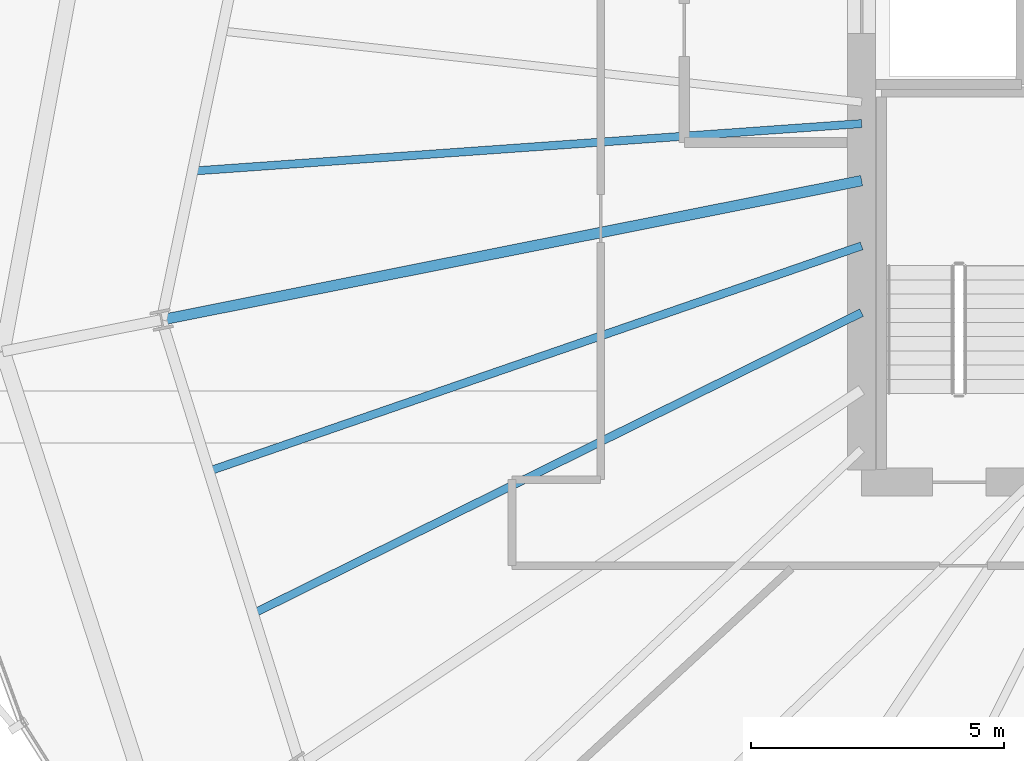
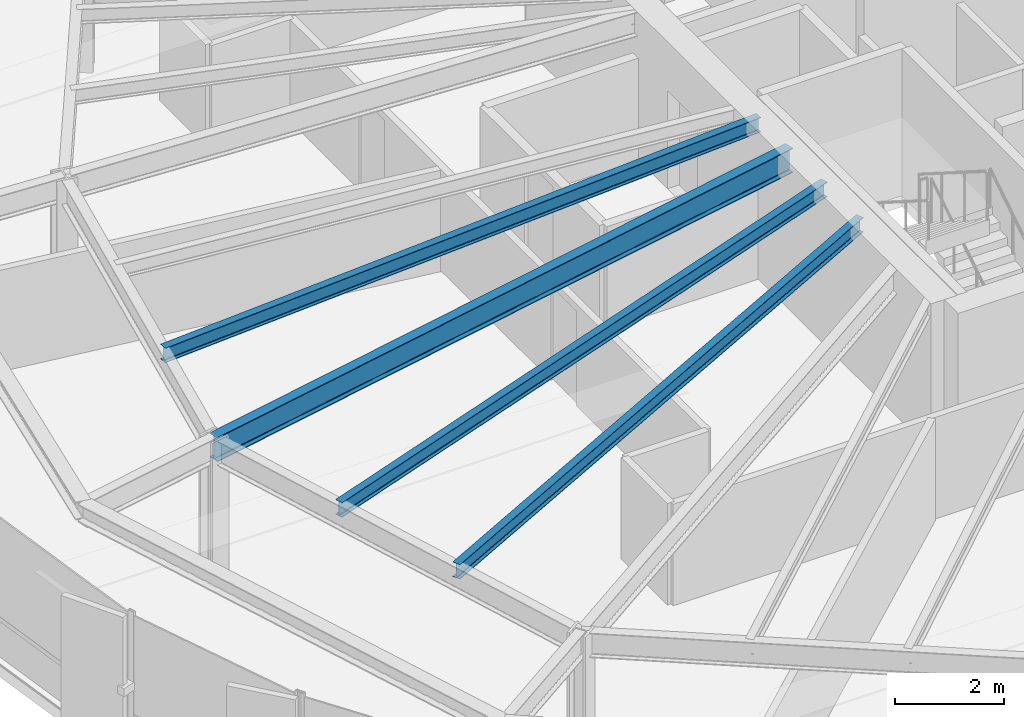
# One storey, part 9 of 35: 4 beams.
"""IFC4 building model written with IfcOpenShell, lengths in metres."""

from ifc_helpers import new_model, si_unit, direction, frame, origin, origin_2d, place, context, subcontext, project, spatial, i_section, extrude, source, transform, mapped, material, material_profile, profile_set, type_object, element, save


model = new_model("IFC4")

# Units and contexts
model_context = context("Model", 3, precision=1e-05, world=origin(), true_north=direction((0.0, 1.0)))
body_context = subcontext(model_context, "Body", "Model", "MODEL_VIEW")
ifc_project = project(units=[si_unit("LENGTHUNIT", "METRE"), si_unit("AREAUNIT", "SQUARE_METRE"), si_unit("VOLUMEUNIT", "CUBIC_METRE"), si_unit("PLANEANGLEUNIT", "RADIAN"), si_unit("MASSUNIT", "GRAM", prefix="KILO"), si_unit("THERMODYNAMICTEMPERATUREUNIT", "KELVIN")], contexts=[model_context])

# Site, building, storey
site_placement = place(None, origin())
site = spatial("IfcSite", under=ifc_project, at=site_placement, CompositionType="ELEMENT")
building_placement = place(site_placement, origin())
building = spatial("IfcBuilding", under=site, at=building_placement, Name="Kethvar Cultural Tower", CompositionType="ELEMENT")
storey_placement = place(building_placement, frame((0.0, 0.0, 139.449951171875)))
storey = spatial("IfcBuildingStorey", under=building, at=storey_placement, Name="L35", CompositionType="ELEMENT", Elevation=139.449951171875)

# Beams
ifc_material = material(Name="Steel S355J2", Category="steel")
ifc_material_profile_1 = material_profile(ifc_material, i_section(OverallWidth=0.2099609375, OverallDepth=0.550048828125, WebThickness=0.010986328125, FlangeThickness=0.01708984375, FilletRadius=0.02392578125, at=origin_2d()), Name="Steel S355J2 — IPE550")
ifc_profile_set_1 = profile_set([ifc_material_profile_1], Name="Steel S355J2 — IPE550")
beam_type_1 = type_object("IfcBeamType", Name="BM-IPE550", PredefinedType="BEAM", material=ifc_profile_set_1)
shared_shape_1 = source(origin(), body_context, "Body", "SweptSolid", [
    extrude(i_section(OverallWidth=0.2099609375, OverallDepth=0.550048828125, WebThickness=0.010986328125, FlangeThickness=0.01708984375, FilletRadius=0.02392578125, at=origin_2d()), origin(), (0.0, 0.0, 1.0), 14.085205078125),
])
beam_1_placement = place(storey_placement, frame((38.0, 26.049560546875, 3.02294921875), z_axis=(-0.98078679373, -0.195082713854, 0.0), x_axis=(0.195082713854, -0.98078679373, 0.0)))
element("IfcBeam", 1, at=beam_1_placement, inside=storey, type_object=beam_type_1, Name="L35 Primary Radial Beam RB-09", PredefinedType="BEAM", context=body_context, shape_type="MappedRepresentation", body=[
    mapped(shared_shape_1, transform((0.0, 0.0, 0.0), scale=1.0)),
])
ifc_material_profile_2 = material_profile(ifc_material, i_section(OverallWidth=0.159912109375, OverallDepth=0.330078125, WebThickness=0.007568359375, FlangeThickness=0.011474609375, FilletRadius=0.01806640625, at=origin_2d()), Name="Steel S355J2 — IPE330")
ifc_profile_set_2 = profile_set([ifc_material_profile_2], Name="Steel S355J2 — IPE330")
beam_type_2 = type_object("IfcBeamType", Name="BM-J330", PredefinedType="JOIST", material=ifc_profile_set_2)
shared_shape_2 = source(origin(), body_context, "Body", "SweptSolid", [
    extrude(i_section(OverallWidth=0.159912109375, OverallDepth=0.330078125, WebThickness=0.007568359375, FlangeThickness=0.011474609375, FilletRadius=0.01806640625, at=origin_2d()), origin(), (0.0, 0.0, 1.0), 13.234619140625),
])
beam_2_placement = place(storey_placement, frame((38.0, 27.175537109375, 3.133056640625), z_axis=(-0.997490530945, -0.070800004767, 0.0), x_axis=(0.070800004767, -0.997490530945, 0.0)))
element("IfcBeam", 2, at=beam_2_placement, inside=storey, type_object=beam_type_2, Name="L35 Composite Floor Joist J-08B", PredefinedType="JOIST", context=body_context, shape_type="MappedRepresentation", body=[
    mapped(shared_shape_2, transform((0.0, 0.0, 0.0), scale=1.0)),
])
shared_shape_3 = source(origin(), body_context, "Body", "SweptSolid", [
    extrude(i_section(OverallWidth=0.159912109375, OverallDepth=0.330078125, WebThickness=0.007568359375, FlangeThickness=0.011474609375, FilletRadius=0.01806640625, at=origin_2d()), origin(), (0.0, 0.0, 1.0), 13.630615234375),
])
beam_3_placement = place(storey_placement, frame((38.0, 24.762451171875, 3.133056640625), z_axis=(-0.945269577646, -0.326290400682, 0.0), x_axis=(0.326290400682, -0.945269577646, 0.0)))
element("IfcBeam", 3, at=beam_3_placement, inside=storey, type_object=beam_type_2, Name="L35 Composite Floor Joist J-09A", PredefinedType="JOIST", context=body_context, shape_type="MappedRepresentation", body=[
    mapped(shared_shape_3, transform((0.0, 0.0, 0.0), scale=1.0)),
])
shared_shape_4 = source(origin(), body_context, "Body", "SweptSolid", [
    extrude(i_section(OverallWidth=0.159912109375, OverallDepth=0.330078125, WebThickness=0.007568359375, FlangeThickness=0.011474609375, FilletRadius=0.01806640625, at=origin_2d()), origin(), (0.0, 0.0, 1.0), 13.39892578125),
])
beam_4_placement = place(storey_placement, frame((38.0, 23.44580078125, 3.133056640625), z_axis=(-0.896292467417, -0.44346342899, 0.0), x_axis=(0.44346342899, -0.896292467417, 0.0)))
element("IfcBeam", 4, at=beam_4_placement, inside=storey, type_object=beam_type_2, Name="L35 Composite Floor Joist J-09B", PredefinedType="JOIST", context=body_context, shape_type="MappedRepresentation", body=[
    mapped(shared_shape_4, transform((0.0, 0.0, 0.0), scale=1.0)),
])

save(model, "model.ifc")
